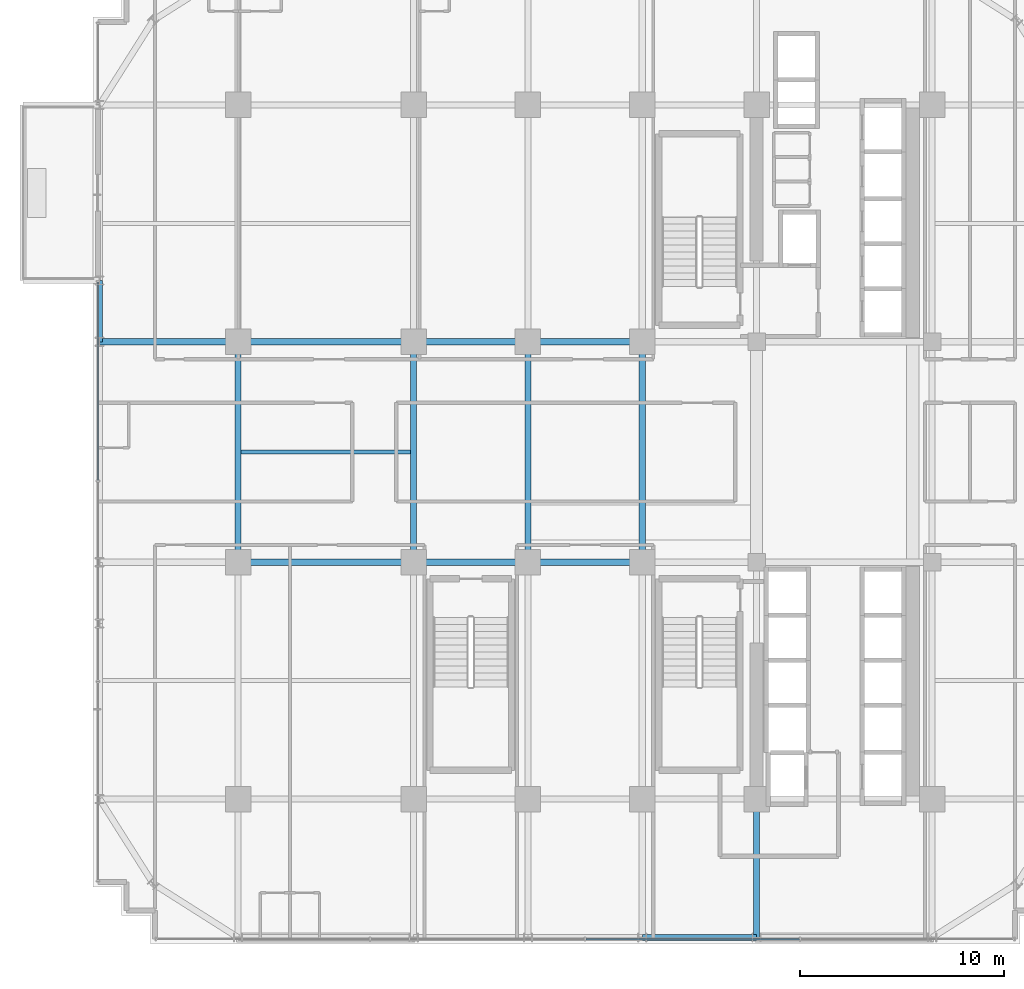
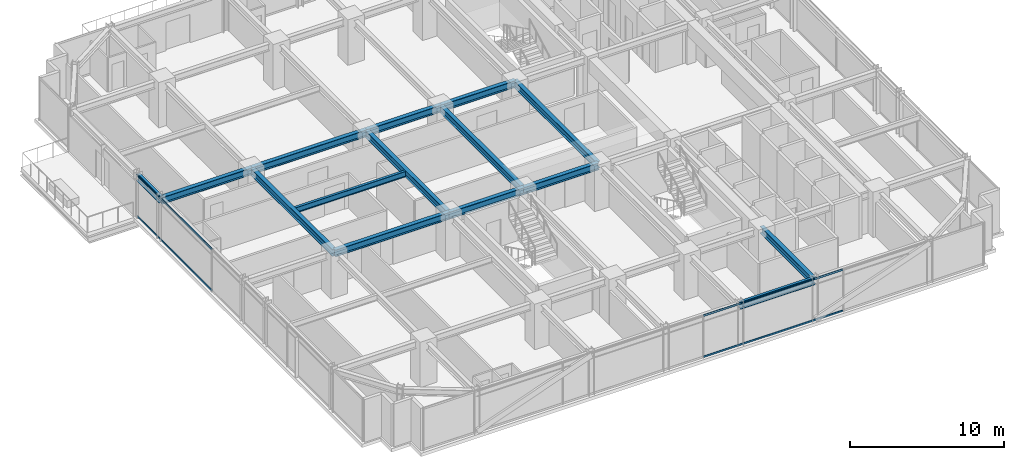
# One storey, part 9 of 35: 15 beams, 4 members, 2 elements without a shape of their own.
"""IFC4 building model written with IfcOpenShell, lengths in metres."""

from ifc_helpers import new_model, si_unit, direction, frame, origin, origin_2d, place, context, subcontext, project, spatial, hollow_rectangle, i_section, extrude, source, transform, mapped, material, material_profile, profile_set, type_object, element, aggregate, save


model = new_model("IFC4")

# Units and contexts
model_context = context("Model", 3, precision=1e-05, world=origin(), true_north=direction((0.0, 1.0)))
body_context = subcontext(model_context, "Body", "Model", "MODEL_VIEW")
ifc_project = project(units=[si_unit("LENGTHUNIT", "METRE"), si_unit("AREAUNIT", "SQUARE_METRE"), si_unit("VOLUMEUNIT", "CUBIC_METRE"), si_unit("PLANEANGLEUNIT", "RADIAN"), si_unit("MASSUNIT", "GRAM", prefix="KILO")], contexts=[model_context])

# Site, building, storey
site_placement = place(None, origin())
site = spatial("IfcSite", under=ifc_project, at=site_placement, CompositionType="ELEMENT")
building_placement = place(site_placement, origin())
building = spatial("IfcBuilding", under=site, at=building_placement, Name="Nahalor Promenade Grand Hotel", CompositionType="ELEMENT")
storey_placement = place(building_placement, frame((0.0, 0.0, 121.14990234375)))
storey = spatial("IfcBuildingStorey", under=building, at=storey_placement, Name="L30", CompositionType="ELEMENT", Elevation=121.14990234375)

# Beams
ifc_material_1 = material(Name="Steel S355JR", Category="steel")
ifc_material_profile_1 = material_profile(ifc_material_1, i_section(OverallWidth=0.3, OverallDepth=0.5, WebThickness=0.0145, FlangeThickness=0.028, at=origin_2d()), Name="HEB 500")
ifc_profile_set_1 = profile_set([ifc_material_profile_1], Name="Steel S355JR")
beam_type_1 = type_object("IfcBeamType", Name="Beam-Spandrel-HEB500", PredefinedType="SPANDREL", material=ifc_profile_set_1)
shared_shape_1 = source(origin(), body_context, "Body", "SweptSolid", [
    extrude(i_section(OverallWidth=0.3, OverallDepth=0.5, WebThickness=0.0145, FlangeThickness=0.028, at=origin_2d()), origin(), (0.0, 0.0, 1.0), 5.599853515625),
])
beam_1_placement = place(storey_placement, frame((2.800048828125, -23.780029296875, 3.130126953125), z_axis=(1.0, 0.0, 0.0), x_axis=(0.0, 1.0, 0.0)))
element("IfcBeam", 1, at=beam_1_placement, inside=storey, type_object=beam_type_1, Name="BM-L30-SP-S-3", PredefinedType="SPANDREL", context=body_context, shape_type="MappedRepresentation", body=[
    mapped(shared_shape_1, transform((0.0, 0.0, 0.0), scale=1.0)),
])
shared_shape_2 = source(origin(), body_context, "Body", "SweptSolid", [
    extrude(i_section(OverallWidth=0.3, OverallDepth=0.5, WebThickness=0.0145, FlangeThickness=0.028, at=origin_2d()), origin(), (0.0, 0.0, 1.0), 3.0),
])
beam_2_placement = place(storey_placement, frame((-23.780029296875, 5.39990234375, 3.130126953125), z_axis=(0.0, 1.0, 0.0), x_axis=(-1.0, 0.0, 0.0)))
element("IfcBeam", 2, at=beam_2_placement, inside=storey, type_object=beam_type_1, Name="BM-L30-SP-W-3", PredefinedType="SPANDREL", context=body_context, shape_type="MappedRepresentation", body=[
    mapped(shared_shape_2, transform((0.0, 0.0, 0.0), scale=1.0)),
])
ifc_material_profile_2 = material_profile(ifc_material_1, i_section(OverallWidth=0.3, OverallDepth=0.55, WebThickness=0.015, FlangeThickness=0.029, at=origin_2d()), Name="HEB 550")
ifc_profile_set_2 = profile_set([ifc_material_profile_2], Name="Steel S355JR")
beam_type_2 = type_object("IfcBeamType", Name="Beam-Girder-HEB550", PredefinedType="BEAM", material=ifc_profile_set_2)
shared_shape_3 = source(origin(), body_context, "Body", "SweptSolid", [
    extrude(i_section(OverallWidth=0.3, OverallDepth=0.55, WebThickness=0.015, FlangeThickness=0.029, at=origin_2d()), origin(), (0.0, 0.0, 1.0), 6.780029296875),
])
for number, where, z_axis, x_axis, name in (
    (3, (-23.780029296875, 5.39990234375, 3.10498046875), (1.0, 0.0, 0.0), (0.0, 1.0, 0.0), "BM-L30-GX-2-0"),
    (4, (8.39990234375, -23.780029296875, 3.10498046875), (0.0, 1.0, 0.0), (-1.0, 0.0, 0.0), "BM-L30-GY-4-0"),
):
    element("IfcBeam", number, at=place(storey_placement, frame(where, z_axis=z_axis, x_axis=x_axis)), inside=storey, type_object=beam_type_2, Name=name, PredefinedType="BEAM", context=body_context, shape_type="MappedRepresentation", body=[
        mapped(shared_shape_3, transform((0.0, 0.0, 0.0), scale=1.0)),
    ])
shared_shape_4 = source(origin(), body_context, "Body", "SweptSolid", [
    extrude(i_section(OverallWidth=0.3, OverallDepth=0.55, WebThickness=0.015, FlangeThickness=0.029, at=origin_2d()), origin(), (0.0, 0.0, 1.0), 8.60009765625),
])
for number, where, z_axis, x_axis, name in (
    (5, (-17.0, -5.39990234375, 3.10498046875), (1.0, 0.0, 0.0), (0.0, 1.0, 0.0), "BM-L30-GX-1-1"),
    (6, (-17.0, 5.39990234375, 3.10498046875), (1.0, 0.0, 0.0), (0.0, 1.0, 0.0), "BM-L30-GX-2-1"),
):
    element("IfcBeam", number, at=place(storey_placement, frame(where, z_axis=z_axis, x_axis=x_axis)), inside=storey, type_object=beam_type_2, Name=name, PredefinedType="BEAM", context=body_context, shape_type="MappedRepresentation", body=[
        mapped(shared_shape_4, transform((0.0, 0.0, 0.0), scale=1.0)),
    ])
shared_shape_5 = source(origin(), body_context, "Body", "SweptSolid", [
    extrude(i_section(OverallWidth=0.3, OverallDepth=0.55, WebThickness=0.015, FlangeThickness=0.029, at=origin_2d()), origin(), (0.0, 0.0, 1.0), 5.599853515625),
])
for number, where, z_axis, x_axis, name in (
    (7, (-8.39990234375, -5.39990234375, 3.10498046875), (1.0, 0.0, 0.0), (0.0, 1.0, 0.0), "BM-L30-GX-1-2"),
    (8, (-8.39990234375, 5.39990234375, 3.10498046875), (1.0, 0.0, 0.0), (0.0, 1.0, 0.0), "BM-L30-GX-2-2"),
):
    element("IfcBeam", number, at=place(storey_placement, frame(where, z_axis=z_axis, x_axis=x_axis)), inside=storey, type_object=beam_type_2, Name=name, PredefinedType="BEAM", context=body_context, shape_type="MappedRepresentation", body=[
        mapped(shared_shape_5, transform((0.0, 0.0, 0.0), scale=1.0)),
    ])
shared_shape_6 = source(origin(), body_context, "Body", "SweptSolid", [
    extrude(i_section(OverallWidth=0.3, OverallDepth=0.55, WebThickness=0.015, FlangeThickness=0.029, at=origin_2d()), origin(), (0.0, 0.0, 1.0), 5.60009765625),
])
for number, where, z_axis, x_axis, name in (
    (9, (-2.800048828125, -5.39990234375, 3.10498046875), (1.0, 0.0, 0.0), (0.0, 1.0, 0.0), "BM-L30-GX-1-3"),
    (10, (-2.800048828125, 5.39990234375, 3.10498046875), (1.0, 0.0, 0.0), (0.0, 1.0, 0.0), "BM-L30-GX-2-3"),
):
    element("IfcBeam", number, at=place(storey_placement, frame(where, z_axis=z_axis, x_axis=x_axis)), inside=storey, type_object=beam_type_2, Name=name, PredefinedType="BEAM", context=body_context, shape_type="MappedRepresentation", body=[
        mapped(shared_shape_6, transform((0.0, 0.0, 0.0), scale=1.0)),
    ])
shared_shape_7 = source(origin(), body_context, "Body", "SweptSolid", [
    extrude(i_section(OverallWidth=0.3, OverallDepth=0.55, WebThickness=0.015, FlangeThickness=0.029, at=origin_2d()), origin(), (0.0, 0.0, 1.0), 10.7998046875),
])
for number, where, z_axis, x_axis, name in (
    (11, (-17.0, -5.39990234375, 3.10498046875), (0.0, 1.0, 0.0), (-1.0, 0.0, 0.0), "BM-L30-GY-0-2"),
    (12, (-8.39990234375, -5.39990234375, 3.10498046875), (0.0, 1.0, 0.0), (-1.0, 0.0, 0.0), "BM-L30-GY-1-2"),
    (13, (-2.800048828125, -5.39990234375, 3.10498046875), (0.0, 1.0, 0.0), (-1.0, 0.0, 0.0), "BM-L30-GY-2-2"),
    (14, (2.800048828125, -5.39990234375, 3.10498046875), (0.0, 1.0, 0.0), (-1.0, 0.0, 0.0), "BM-L30-GY-3-2"),
):
    element("IfcBeam", number, at=place(storey_placement, frame(where, z_axis=z_axis, x_axis=x_axis)), inside=storey, type_object=beam_type_2, Name=name, PredefinedType="BEAM", context=body_context, shape_type="MappedRepresentation", body=[
        mapped(shared_shape_7, transform((0.0, 0.0, 0.0), scale=1.0)),
    ])
ifc_material_profile_3 = material_profile(ifc_material_1, i_section(OverallWidth=0.19, OverallDepth=0.45, WebThickness=0.0094, FlangeThickness=0.0146, at=origin_2d()), Name="IPE 450")
ifc_profile_set_3 = profile_set([ifc_material_profile_3], Name="Steel S355JR")
beam_type_3 = type_object("IfcBeamType", Name="Beam-Joist-IPE450", PredefinedType="JOIST", material=ifc_profile_set_3)
shared_shape_8 = source(origin(), body_context, "Body", "SweptSolid", [
    extrude(i_section(OverallWidth=0.19, OverallDepth=0.45, WebThickness=0.0094, FlangeThickness=0.0146, at=origin_2d()), origin(), (0.0, 0.0, 1.0), 8.300048828125),
])
beam_3_placement = place(storey_placement, frame((-16.85009765625, 0.0, 3.155029296875), z_axis=(1.0, 0.0, 0.0), x_axis=(0.0, 1.0, 0.0)))
element("IfcBeam", 15, at=beam_3_placement, inside=storey, type_object=beam_type_3, Name="BM-L30-JSC-0", PredefinedType="JOIST", context=body_context, shape_type="MappedRepresentation", body=[
    mapped(shared_shape_8, transform((0.0, 0.0, 0.0), scale=1.0)),
])

# Curtain wall, members
ifc_material_2 = material(Name="Anodised Bronze Aluminium EN AW-6063 T6", Category="aluminium")
curtain_wall_type = type_object("IfcCurtainWallType", Name="CW2 Typical Hotel Flush Bronze Unitised Curtain Wall", PredefinedType="USERDEFINED", material=ifc_material_2)
curtain_wall_1_placement = place(storey_placement, origin())
curtain_wall_1 = element("IfcCurtainWall", 16, at=curtain_wall_1_placement, inside=storey, type_object=curtain_wall_type, Name="L30 Curtain Wall CW-L30-W-1", ObjectType="UNITISED_CURTAIN_WALL", PredefinedType="USERDEFINED")
ifc_material_profile_4 = material_profile(ifc_material_2, hollow_rectangle(XDim=0.065, YDim=0.13, WallThickness=0.004, at=origin_2d()), Name="CWT 65x130x4")
ifc_profile_set_4 = profile_set([ifc_material_profile_4], Name="Anodised Bronze Aluminium EN AW-6063 T6")
member_type = type_object("IfcMemberType", Name="CWT2 Typical Bronze Transom 65x130", PredefinedType="USERDEFINED", material=ifc_profile_set_4)
shared_shape_9 = source(origin(), body_context, "Body", "SweptSolid", [
    extrude(hollow_rectangle(XDim=0.065, YDim=0.13, WallThickness=0.004, at=origin_2d()), origin(), (0.0, 0.0, 1.0), 9.722412109375),
])
member_1_placement = place(storey_placement, frame((-23.860107421875, -1.387451171875, 0.065185546875), z_axis=(0.0, 1.0, 0.0), x_axis=(-1.0, 0.0, 0.0)))
member_1 = element("IfcMember", 17, at=member_1_placement, type_object=member_type, Name="CW-L30-W-1 Transom 2-0", ObjectType="TRANSOM", PredefinedType="USERDEFINED", context=body_context, shape_type="MappedRepresentation", body=[
    mapped(shared_shape_9, transform((0.0, 0.0, 0.0), scale=1.0)),
])
member_2_placement = place(storey_placement, frame((-23.860107421875, -1.387451171875, 3.315185546875), z_axis=(0.0, 1.0, 0.0), x_axis=(-1.0, 0.0, 0.0)))
member_2 = element("IfcMember", 18, at=member_2_placement, type_object=member_type, Name="CW-L30-W-1 Transom 2-1", ObjectType="TRANSOM", PredefinedType="USERDEFINED", context=body_context, shape_type="MappedRepresentation", body=[
    mapped(shared_shape_9, transform((0.0, 0.0, 0.0), scale=1.0)),
])
aggregate(curtain_wall_1, [member_1, member_2])

curtain_wall_2_placement = place(storey_placement, origin())
curtain_wall_2 = element("IfcCurtainWall", 19, at=curtain_wall_2_placement, inside=storey, type_object=curtain_wall_type, Name="L30 Curtain Wall CW-L30-S-1", ObjectType="UNITISED_CURTAIN_WALL", PredefinedType="USERDEFINED")
shared_shape_10 = source(origin(), body_context, "Body", "SweptSolid", [
    extrude(hollow_rectangle(XDim=0.065, YDim=0.13, WallThickness=0.004, at=origin_2d()), origin(), (0.0, 0.0, 1.0), 10.465087890625),
])
member_3_placement = place(storey_placement, frame((0.032470703125, -23.860107421875, 0.065185546875), z_axis=(1.0, 0.0, 0.0), x_axis=(0.0, 1.0, 0.0)))
member_3 = element("IfcMember", 20, at=member_3_placement, type_object=member_type, Name="CW-L30-S-1 Transom 2-0", ObjectType="TRANSOM", PredefinedType="USERDEFINED", context=body_context, shape_type="MappedRepresentation", body=[
    mapped(shared_shape_10, transform((0.0, 0.0, 0.0), scale=1.0)),
])
member_4_placement = place(storey_placement, frame((0.032470703125, -23.860107421875, 3.315185546875), z_axis=(1.0, 0.0, 0.0), x_axis=(0.0, 1.0, 0.0)))
member_4 = element("IfcMember", 21, at=member_4_placement, type_object=member_type, Name="CW-L30-S-1 Transom 2-1", ObjectType="TRANSOM", PredefinedType="USERDEFINED", context=body_context, shape_type="MappedRepresentation", body=[
    mapped(shared_shape_10, transform((0.0, 0.0, 0.0), scale=1.0)),
])
aggregate(curtain_wall_2, [member_3, member_4])

save(model, "model.ifc")
